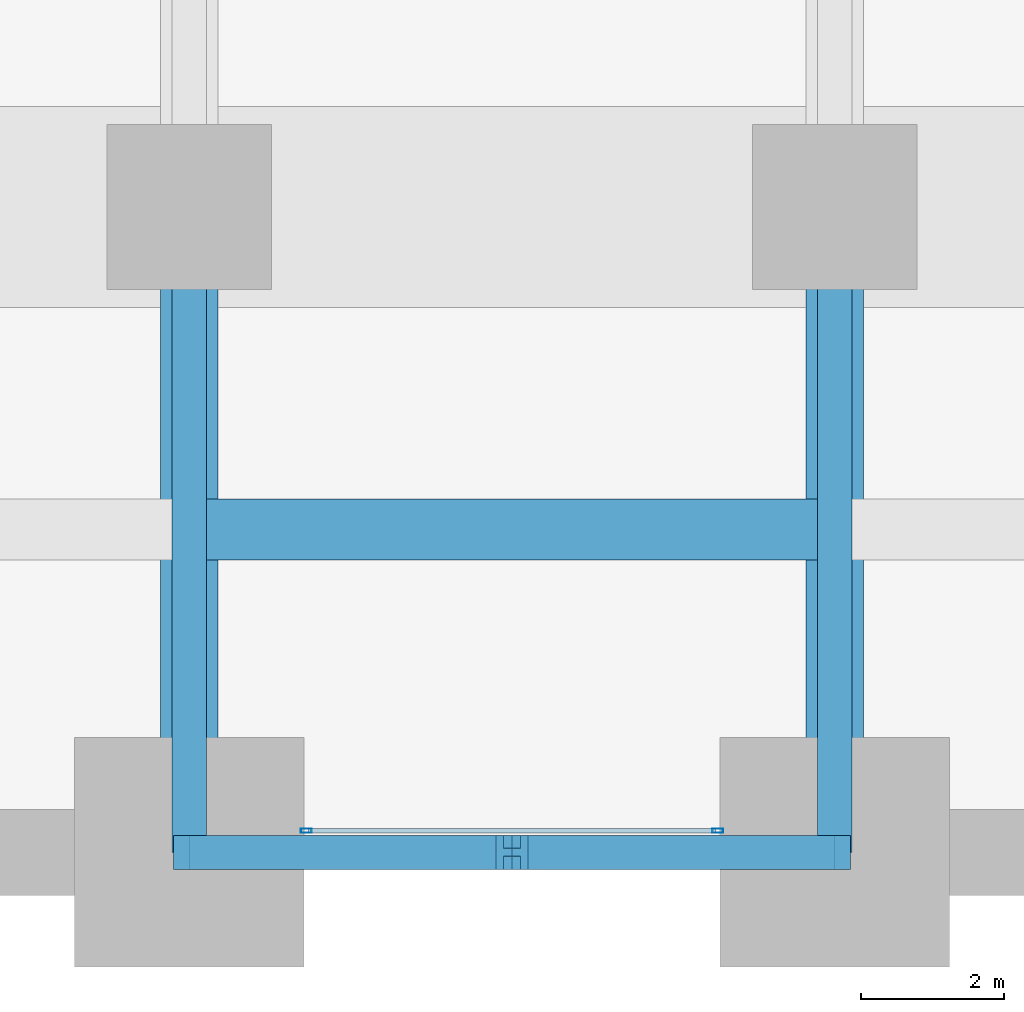
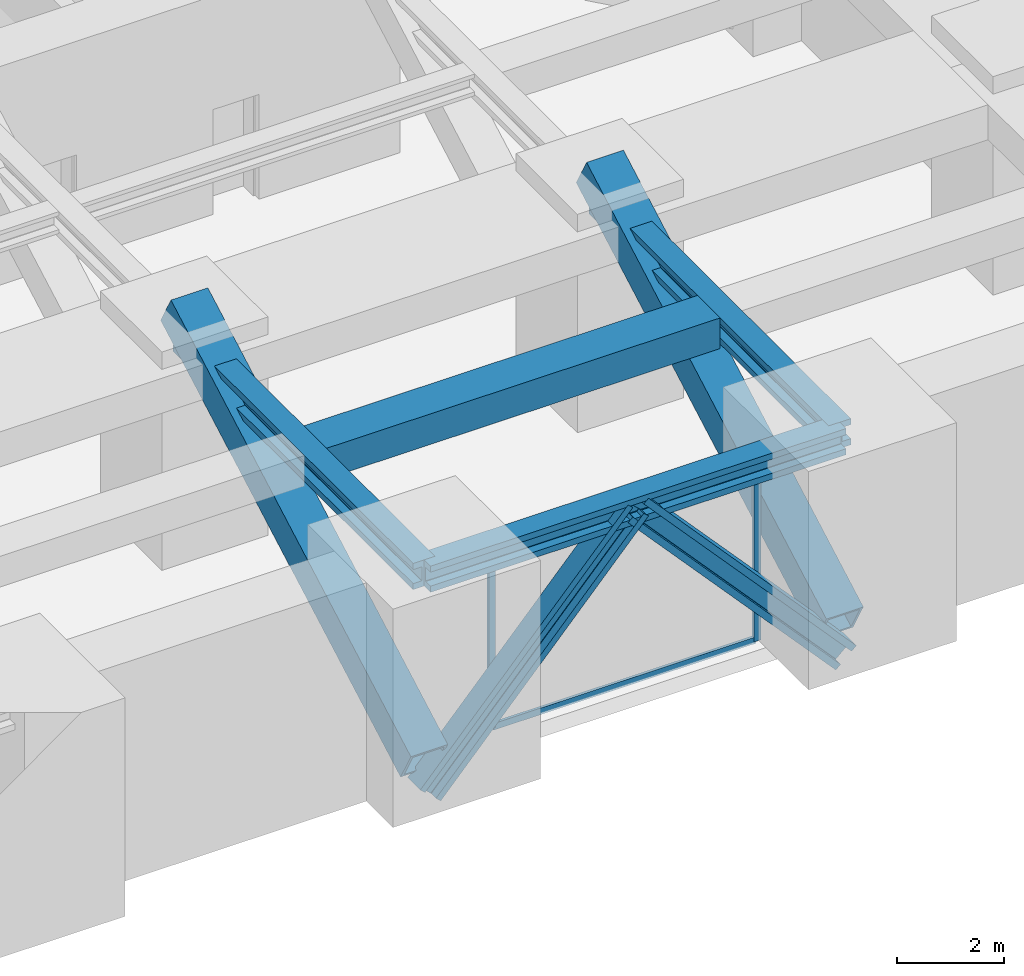
# One storey, part 10 of 35: 7 members, 4 beams, 1 element without a shape of its own.
"""IFC4 building model written with IfcOpenShell, lengths in metres."""

from ifc_helpers import new_model, si_unit, direction, frame, origin, origin_2d, place, context, subcontext, project, spatial, rectangle, hollow_rectangle, i_section, extrude, material, material_profile, profile_set, type_object, element, aggregate, save


model = new_model("IFC4")

# Units and contexts
model_context = context("Model", 3, precision=1e-05, world=origin(), true_north=direction((0.0, 1.0)))
body_context = subcontext(model_context, "Body", "Model", "MODEL_VIEW")
ifc_project = project(units=[si_unit("LENGTHUNIT", "METRE"), si_unit("AREAUNIT", "SQUARE_METRE"), si_unit("VOLUMEUNIT", "CUBIC_METRE"), si_unit("PLANEANGLEUNIT", "RADIAN"), si_unit("MASSUNIT", "GRAM", prefix="KILO")], contexts=[model_context])

# Site, building, storey
site_placement = place(None, origin())
site = spatial("IfcSite", under=ifc_project, at=site_placement, CompositionType="ELEMENT")
building_placement = place(site_placement, origin())
building = spatial("IfcBuilding", under=site, at=building_placement, Name="Zorevar Civic Tower", CompositionType="ELEMENT")
storey_placement = place(building_placement, frame((0.0, 0.0, 80.0)))
storey = spatial("IfcBuildingStorey", under=building, at=storey_placement, Name="L19", CompositionType="ELEMENT", Elevation=80.0)

# Beams
ifc_material_1 = material(Name="Concrete C50/60", Category="concrete")
ifc_material_profile_1 = material_profile(ifc_material_1, rectangle(XDim=0.85009765625, YDim=0.699951171875, at=origin_2d()), Name="RC 850x700")
ifc_profile_set_1 = profile_set([ifc_material_profile_1], Name="Concrete C50/60")
beam_type_1 = type_object("IfcBeamType", Name="Beam RC 850x700", PredefinedType="BEAM", material=ifc_profile_set_1)
beam_1_placement = place(storey_placement, frame((36.238037109375, 4.5, 4.25), z_axis=(1.0, 0.0, 0.0), x_axis=(0.0, 1.0, 0.0)))
element("IfcBeam", 1, at=beam_1_placement, inside=storey, type_object=beam_type_1, Name="Secondary beam L20", PredefinedType="BEAM", context=body_context, shape_type="SweptSolid", body=[
    extrude(rectangle(XDim=0.85009765625, YDim=0.699951171875, at=origin_2d()), origin(), (0.0, 0.0, 1.0), 8.52392578125),
])
ifc_material_2 = material(Name="Steel S460M (HISTAR 460)", Category="steel")
ifc_material_profile_2 = material_profile(ifc_material_2, i_section(OverallWidth=0.47607421875, OverallDepth=0.60009765625, WebThickness=0.10009765625, FlangeThickness=0.139892578125, FilletRadius=0.014892578125, at=origin_2d()), Name="HD 400x1299")
ifc_profile_set_2 = profile_set([ifc_material_profile_2], Name="Steel S460M (HISTAR 460)")
beam_type_2 = type_object("IfcBeamType", Name="Belt chord HD 400x1299", PredefinedType="BEAM", material=ifc_profile_set_2)
beam_2_placement = place(storey_placement, frame((36.0, 0.0, 4.300048828125), z_axis=(1.0, 0.0, 0.0), x_axis=(0.0, 1.0, 0.0)))
element("IfcBeam", 2, at=beam_2_placement, inside=storey, type_object=beam_type_2, Name="Belt chord L20", PredefinedType="BEAM", context=body_context, shape_type="SweptSolid", body=[
    extrude(i_section(OverallWidth=0.47607421875, OverallDepth=0.60009765625, WebThickness=0.10009765625, FlangeThickness=0.139892578125, FilletRadius=0.014892578125, at=origin_2d()), origin(), (0.0, 0.0, 1.0), 9.0),
])

# Members
ifc_material_3 = material(Name="Steel S460M (HISTAR 460)", Category="steel")
ifc_material_profile_3 = material_profile(ifc_material_3, i_section(OverallWidth=0.47607421875, OverallDepth=0.60009765625, WebThickness=0.10009765625, FlangeThickness=0.139892578125, FilletRadius=0.014892578125, at=origin_2d()), Name="HD 400x1299")
ifc_profile_set_3 = profile_set([ifc_material_profile_3], Name="Steel S460M (HISTAR 460)")
member_type_1 = type_object("IfcMemberType", Name="Belt strut HD 400x1299", PredefinedType="BRACE", material=ifc_profile_set_3)
for number, where, z_axis, x_axis, name in (
    (3, (36.0, 0.0, -0.64990234375), (0.672676426978, 0.0, 0.739936770669), (0.0, 1.0, 0.0), "Belt strut S L19"),
    (4, (45.0, 0.0, -0.64990234375), (-0.672676426978, 0.0, 0.739936770669), (0.0, -1.0, 0.0), "Belt strut S L19"),
):
    element("IfcMember", number, at=place(storey_placement, frame(where, z_axis=z_axis, x_axis=x_axis)), inside=storey, type_object=member_type_1, Name=name, PredefinedType="BRACE", context=body_context, shape_type="SweptSolid", body=[
        extrude(i_section(OverallWidth=0.47607421875, OverallDepth=0.60009765625, WebThickness=0.10009765625, FlangeThickness=0.139892578125, FilletRadius=0.014892578125, at=origin_2d()), origin(), (0.0, 0.0, 1.0), 6.689697265625),
    ])

# Curtain wall, members
ifc_material_4 = material(Name="Black aluminium louvres", Category="aluminium")
curtain_wall_type = type_object("IfcCurtainWallType", Name="Louvred curtain wall CW6 refuge", PredefinedType="NOTDEFINED", material=ifc_material_4)
curtain_wall_placement = place(storey_placement, origin())
curtain_wall = element("IfcCurtainWall", 5, at=curtain_wall_placement, inside=storey, type_object=curtain_wall_type, Name="CW6 L19", PredefinedType="NOTDEFINED")
ifc_material_5 = material(Name="Aluminium, black anodised", Category="aluminium")
ifc_material_profile_4 = material_profile(ifc_material_5, hollow_rectangle(XDim=0.06005859375, YDim=0.14990234375, WallThickness=0.00390625, at=origin_2d()), Name="AL 150x60x4")
ifc_profile_set_4 = profile_set([ifc_material_profile_4], Name="Aluminium, black anodised")
member_type_2 = type_object("IfcMemberType", Name="CW6 mullion AL 150x60x4", PredefinedType="MULLION", material=ifc_profile_set_4)
member_1_placement = place(storey_placement, frame((37.6298828125, 0.300048828125, 0.0), z_axis=(0.0, 0.0, 1.0), x_axis=(0.0, 1.0, 0.0)))
member_1 = element("IfcMember", 6, at=member_1_placement, type_object=member_type_2, Name="CW6 mullion 1", PredefinedType="MULLION", context=body_context, shape_type="SweptSolid", body=[
    extrude(hollow_rectangle(XDim=0.06005859375, YDim=0.14990234375, WallThickness=0.00390625, at=origin_2d()), origin(), (0.0, 0.0, 1.0), 3.800048828125),
])
member_2_placement = place(storey_placement, frame((43.3701171875, 0.300048828125, 0.0), z_axis=(0.0, 0.0, 1.0), x_axis=(0.0, 1.0, 0.0)))
member_2 = element("IfcMember", 7, at=member_2_placement, type_object=member_type_2, Name="CW6 mullion 2", PredefinedType="MULLION", context=body_context, shape_type="SweptSolid", body=[
    extrude(hollow_rectangle(XDim=0.06005859375, YDim=0.14990234375, WallThickness=0.00390625, at=origin_2d()), origin(), (0.0, 0.0, 1.0), 3.800048828125),
])
ifc_material_6 = material(Name="Aluminium, black anodised", Category="aluminium")
ifc_material_profile_5 = material_profile(ifc_material_6, hollow_rectangle(XDim=0.06005859375, YDim=0.14990234375, WallThickness=0.00390625, at=origin_2d()), Name="AL 150x60x4")
ifc_profile_set_5 = profile_set([ifc_material_profile_5], Name="Aluminium, black anodised")
member_type_3 = type_object("IfcMemberType", Name="CW6 transom AL 150x60x4", PredefinedType="USERDEFINED", material=ifc_profile_set_5)
member_3_placement = place(storey_placement, frame((37.659912109375, 0.300048828125, 0.030029296875), z_axis=(1.0, 0.0, 0.0), x_axis=(0.0, 1.0, 0.0)))
member_3 = element("IfcMember", 8, at=member_3_placement, type_object=member_type_3, Name="CW6 sill transom", ObjectType="TRANSOM", PredefinedType="USERDEFINED", context=body_context, shape_type="SweptSolid", body=[
    extrude(hollow_rectangle(XDim=0.06005859375, YDim=0.14990234375, WallThickness=0.00390625, at=origin_2d()), origin(), (0.0, 0.0, 1.0), 5.68017578125),
])
aggregate(curtain_wall, [member_1, member_2, member_3])

# Beams
ifc_material_7 = material(Name="Steel S460M (HISTAR 460)", Category="steel")
ifc_material_profile_6 = material_profile(ifc_material_7, i_section(OverallWidth=0.47607421875, OverallDepth=0.60009765625, WebThickness=0.10009765625, FlangeThickness=0.139892578125, FilletRadius=0.014892578125, at=origin_2d()), Name="HD 400x1299")
ifc_profile_set_6 = profile_set([ifc_material_profile_6], Name="Steel S460M (HISTAR 460)")
beam_type_3 = type_object("IfcBeamType", Name="Outrigger chord HD 400x1299", PredefinedType="BEAM", material=ifc_profile_set_6)
for number, where, z_axis, x_axis, name in (
    (9, (36.0, 0.0, 4.300048828125), (0.0, 1.0, 0.0), (-1.0, 0.0, 0.0), "Outrigger chord L20"),
    (10, (45.0, 0.0, 4.300048828125), (0.0, 1.0, 0.0), (-1.0, 0.0, 0.0), "Outrigger chord L20"),
):
    element("IfcBeam", number, at=place(storey_placement, frame(where, z_axis=z_axis, x_axis=x_axis)), inside=storey, type_object=beam_type_3, Name=name, PredefinedType="BEAM", context=body_context, shape_type="SweptSolid", body=[
        extrude(i_section(OverallWidth=0.47607421875, OverallDepth=0.60009765625, WebThickness=0.10009765625, FlangeThickness=0.139892578125, FilletRadius=0.014892578125, at=origin_2d()), origin(), (0.0, 0.0, 1.0), 9.0),
    ])

# Members
ifc_material_8 = material(Name="Steel S460M (HISTAR 460)", Category="steel")
ifc_material_profile_7 = material_profile(ifc_material_8, hollow_rectangle(XDim=0.800048828125, YDim=0.800048828125, WallThickness=0.06005859375, at=origin_2d()), Name="BOX 800x800x60")
ifc_profile_set_7 = profile_set([ifc_material_profile_7], Name="Steel S460M (HISTAR 460)")
member_type_4 = type_object("IfcMemberType", Name="Outrigger diagonal BOX 800x800x60", PredefinedType="BRACE", material=ifc_profile_set_7)
for number, where, z_axis, x_axis, name in (
    (11, (36.0, 9.0, 5.0), (0.0, -0.874157276122, -0.485642931179), (1.0, 0.0, 0.0), "Outrigger diagonal S L19"),
    (12, (45.0, 9.0, 5.0), (0.0, -0.874157276122, -0.485642931179), (1.0, 0.0, 0.0), "Outrigger diagonal S L19"),
):
    element("IfcMember", number, at=place(storey_placement, frame(where, z_axis=z_axis, x_axis=x_axis)), inside=storey, type_object=member_type_4, Name=name, PredefinedType="BRACE", context=body_context, shape_type="SweptSolid", body=[
        extrude(hollow_rectangle(XDim=0.800048828125, YDim=0.800048828125, WallThickness=0.06005859375, at=origin_2d()), origin(), (0.0, 0.0, 1.0), 10.295654296875),
    ])

save(model, "model.ifc")
